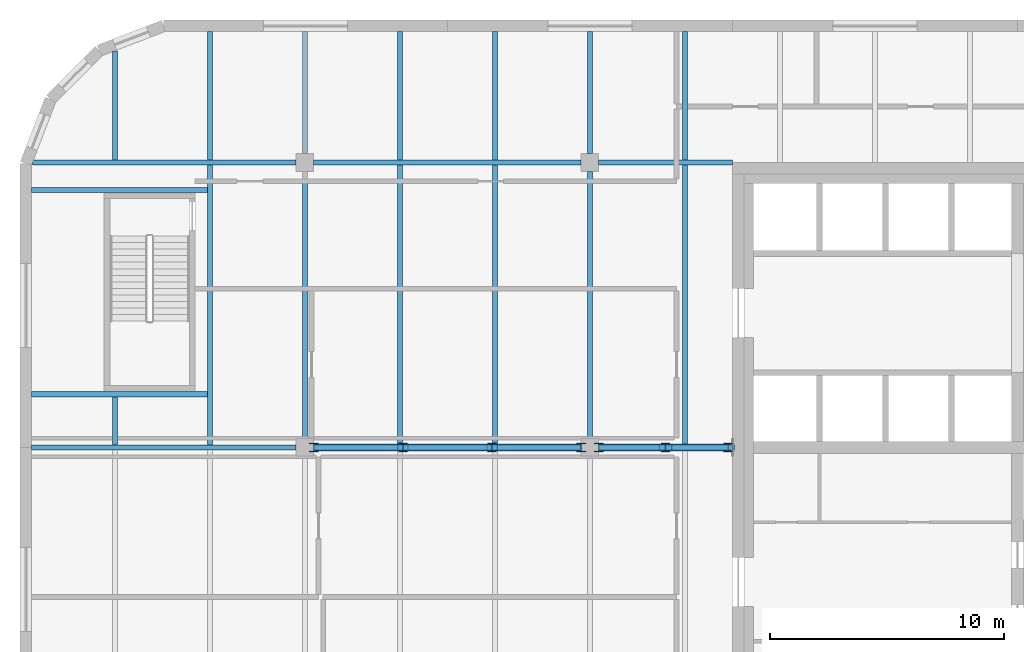
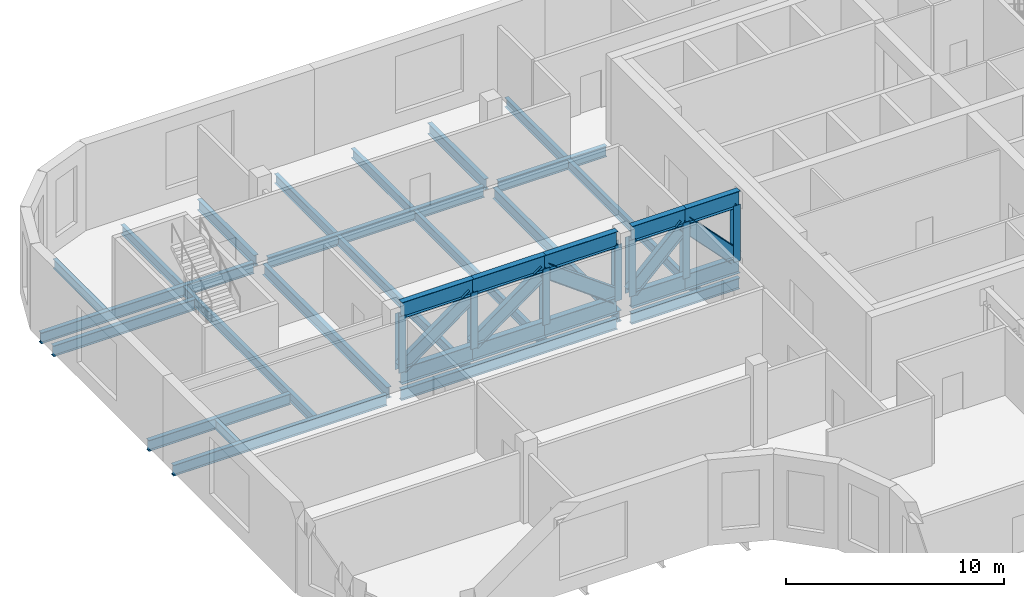
# One storey, part 3 of 12: 32 beams, 12 members.
"""IFC4 building model written with IfcOpenShell, lengths in metres."""

from ifc_helpers import new_model, si_unit, direction, frame, origin, origin_2d, place, context, subcontext, project, spatial, i_section, extrude, material, material_profile, profile_set, type_object, element, save


model = new_model("IFC4")

# Units and contexts
model_context = context("Model", 3, precision=1e-05, world=origin(), true_north=direction((0.0, 1.0)))
body_context = subcontext(model_context, "Body", "Model", "MODEL_VIEW")
ifc_project = project(units=[si_unit("LENGTHUNIT", "METRE"), si_unit("AREAUNIT", "SQUARE_METRE"), si_unit("VOLUMEUNIT", "CUBIC_METRE"), si_unit("PLANEANGLEUNIT", "RADIAN"), si_unit("MASSUNIT", "GRAM", prefix="KILO")], contexts=[model_context])

# Site, building, storey
site_placement = place(None, origin())
site = spatial("IfcSite", under=ifc_project, at=site_placement, CompositionType="ELEMENT")
building_placement = place(site_placement, origin())
building = spatial("IfcBuilding", under=site, at=building_placement, Name="Tessera Gate Towers", CompositionType="ELEMENT")
storey_placement = place(building_placement, frame((0.0, 0.0, 232.10009765625)))
storey = spatial("IfcBuildingStorey", under=building, at=storey_placement, Name="L58", CompositionType="ELEMENT", Elevation=232.10009765625)

# Beams
ifc_material_1 = material(Name="Steel 350W", Category="steel")
ifc_material_profile_1 = material_profile(ifc_material_1, i_section(OverallWidth=0.22900390625, OverallDepth=0.612060546875, WebThickness=0.011962890625, FlangeThickness=0.01953125, at=origin_2d()), Name="W610x125")
ifc_profile_set_1 = profile_set([ifc_material_profile_1], Name="Steel 350W")
beam_type_1 = type_object("IfcBeamType", Name="FLOOR GIRDER W610x125", PredefinedType="BEAM", material=ifc_profile_set_1)
beam_1_placement = place(storey_placement, frame((0.4990234375, 36.60009765625, -0.606201171875), z_axis=(1.0, 0.0, 0.0), x_axis=(0.0, 1.0, 0.0)))
element("IfcBeam", 1, at=beam_1_placement, inside=storey, type_object=beam_type_1, Name="T1-GD-L58-5855", PredefinedType="BEAM", context=body_context, shape_type="SweptSolid", body=[
    extrude(i_section(OverallWidth=0.22900390625, OverallDepth=0.612060546875, WebThickness=0.011962890625, FlangeThickness=0.01953125, at=origin_2d()), origin(), (0.0, 0.0, 1.0), 11.325927734375),
])
beam_2_placement = place(storey_placement, frame((12.574951171875, 36.60009765625, -0.606201171875), z_axis=(1.0, 0.0, 0.0), x_axis=(0.0, 1.0, 0.0)))
element("IfcBeam", 2, at=beam_2_placement, inside=storey, type_object=beam_type_1, Name="T1-GD-L58-5856", PredefinedType="BEAM", context=body_context, shape_type="SweptSolid", body=[
    extrude(i_section(OverallWidth=0.22900390625, OverallDepth=0.612060546875, WebThickness=0.011962890625, FlangeThickness=0.01953125, at=origin_2d()), origin(), (0.0, 0.0, 1.0), 11.449951171875),
])
beam_3_placement = place(storey_placement, frame((24.77490234375, 36.60009765625, -0.606201171875), z_axis=(1.0, 0.0, 0.0), x_axis=(0.0, 1.0, 0.0)))
element("IfcBeam", 3, at=beam_3_placement, inside=storey, type_object=beam_type_1, Name="T1-GD-L58-5857", PredefinedType="BEAM", context=body_context, shape_type="SweptSolid", body=[
    extrude(i_section(OverallWidth=0.22900390625, OverallDepth=0.612060546875, WebThickness=0.011962890625, FlangeThickness=0.01953125, at=origin_2d()), origin(), (0.0, 0.0, 1.0), 5.72607421875),
])
beam_4_placement = place(storey_placement, frame((0.534912109375, 48.800048828125, -0.606201171875), z_axis=(1.0, 0.0, 0.0), x_axis=(0.0, 1.0, 0.0)))
element("IfcBeam", 4, at=beam_4_placement, inside=storey, type_object=beam_type_1, Name="T1-GD-L58-5859", PredefinedType="BEAM", context=body_context, shape_type="SweptSolid", body=[
    extrude(i_section(OverallWidth=0.22900390625, OverallDepth=0.612060546875, WebThickness=0.011962890625, FlangeThickness=0.01953125, at=origin_2d()), origin(), (0.0, 0.0, 1.0), 11.2900390625),
])
beam_5_placement = place(storey_placement, frame((12.574951171875, 48.800048828125, -0.606201171875), z_axis=(1.0, 0.0, 0.0), x_axis=(0.0, 1.0, 0.0)))
element("IfcBeam", 5, at=beam_5_placement, inside=storey, type_object=beam_type_1, Name="T1-GD-L58-5860", PredefinedType="BEAM", context=body_context, shape_type="SweptSolid", body=[
    extrude(i_section(OverallWidth=0.22900390625, OverallDepth=0.612060546875, WebThickness=0.011962890625, FlangeThickness=0.01953125, at=origin_2d()), origin(), (0.0, 0.0, 1.0), 11.449951171875),
])
beam_6_placement = place(storey_placement, frame((24.77490234375, 48.800048828125, -0.606201171875), z_axis=(1.0, 0.0, 0.0), x_axis=(0.0, 1.0, 0.0)))
element("IfcBeam", 6, at=beam_6_placement, inside=storey, type_object=beam_type_1, Name="T1-GD-L58-5861", PredefinedType="BEAM", context=body_context, shape_type="SweptSolid", body=[
    extrude(i_section(OverallWidth=0.22900390625, OverallDepth=0.612060546875, WebThickness=0.011962890625, FlangeThickness=0.01953125, at=origin_2d()), origin(), (0.0, 0.0, 1.0), 5.72412109375),
])
beam_7_placement = place(storey_placement, frame((12.199951171875, 36.97509765625, -0.606201171875), z_axis=(0.0, 1.0, 0.0), x_axis=(-1.0, 0.0, 0.0)))
element("IfcBeam", 7, at=beam_7_placement, inside=storey, type_object=beam_type_1, Name="T1-GD-L58-5865", PredefinedType="BEAM", context=body_context, shape_type="SweptSolid", body=[
    extrude(i_section(OverallWidth=0.22900390625, OverallDepth=0.612060546875, WebThickness=0.011962890625, FlangeThickness=0.01953125, at=origin_2d()), origin(), (0.0, 0.0, 1.0), 11.449951171875),
])
beam_8_placement = place(storey_placement, frame((12.199951171875, 49.175048828125, -0.606201171875), z_axis=(0.0, 1.0, 0.0), x_axis=(-1.0, 0.0, 0.0)))
element("IfcBeam", 8, at=beam_8_placement, inside=storey, type_object=beam_type_1, Name="T1-GD-L58-5866", PredefinedType="BEAM", context=body_context, shape_type="SweptSolid", body=[
    extrude(i_section(OverallWidth=0.22900390625, OverallDepth=0.612060546875, WebThickness=0.011962890625, FlangeThickness=0.01953125, at=origin_2d()), origin(), (0.0, 0.0, 1.0), 5.225830078125),
])
beam_9_placement = place(storey_placement, frame((24.39990234375, 36.97509765625, -0.606201171875), z_axis=(0.0, 1.0, 0.0), x_axis=(-1.0, 0.0, 0.0)))
element("IfcBeam", 9, at=beam_9_placement, inside=storey, type_object=beam_type_1, Name="T1-GD-L58-5869", PredefinedType="BEAM", context=body_context, shape_type="SweptSolid", body=[
    extrude(i_section(OverallWidth=0.22900390625, OverallDepth=0.612060546875, WebThickness=0.011962890625, FlangeThickness=0.01953125, at=origin_2d()), origin(), (0.0, 0.0, 1.0), 11.449951171875),
])
beam_10_placement = place(storey_placement, frame((24.39990234375, 49.175048828125, -0.606201171875), z_axis=(0.0, 1.0, 0.0), x_axis=(-1.0, 0.0, 0.0)))
element("IfcBeam", 10, at=beam_10_placement, inside=storey, type_object=beam_type_1, Name="T1-GD-L58-5870", PredefinedType="BEAM", context=body_context, shape_type="SweptSolid", body=[
    extrude(i_section(OverallWidth=0.22900390625, OverallDepth=0.612060546875, WebThickness=0.011962890625, FlangeThickness=0.01953125, at=origin_2d()), origin(), (0.0, 0.0, 1.0), 5.225830078125),
])
for number, where, z_axis, x_axis, name in (
    (11, (0.4990234375, 38.8798828125, -0.606201171875), (1.0, 0.0, 0.0), (0.0, 1.0, 0.0), "T1-GD-L58-5875"),
    (12, (0.4990234375, 47.6201171875, -0.606201171875), (1.0, 0.0, 0.0), (0.0, 1.0, 0.0), "T1-GD-L58-5876"),
):
    element("IfcBeam", number, at=place(storey_placement, frame(where, z_axis=z_axis, x_axis=x_axis)), inside=storey, type_object=beam_type_1, Name=name, PredefinedType="BEAM", context=body_context, shape_type="SweptSolid", body=[
        extrude(i_section(OverallWidth=0.22900390625, OverallDepth=0.612060546875, WebThickness=0.011962890625, FlangeThickness=0.01953125, at=origin_2d()), origin(), (0.0, 0.0, 1.0), 7.52978515625),
    ])
ifc_material_2 = material(Name="Steel 350W", Category="steel")
ifc_material_profile_2 = material_profile(ifc_material_2, i_section(OverallWidth=0.208984375, OverallDepth=0.528076171875, WebThickness=0.009521484375, FlangeThickness=0.01318359375, at=origin_2d()), Name="W530x82")
ifc_profile_set_2 = profile_set([ifc_material_profile_2], Name="Steel 350W")
beam_type_2 = type_object("IfcBeamType", Name="FLOOR SECONDARY W530x82", PredefinedType="BEAM", material=ifc_profile_set_2)
beam_11_placement = place(storey_placement, frame((4.066650390625, 36.714599609375, -0.564208984375), z_axis=(0.0, 1.0, 0.0), x_axis=(-1.0, 0.0, 0.0)))
element("IfcBeam", 13, at=beam_11_placement, inside=storey, type_object=beam_type_2, Name="T1-BM-L58-5884", PredefinedType="BEAM", context=body_context, shape_type="SweptSolid", body=[
    extrude(i_section(OverallWidth=0.208984375, OverallDepth=0.528076171875, WebThickness=0.009521484375, FlangeThickness=0.01318359375, at=origin_2d()), origin(), (0.0, 0.0, 1.0), 2.05078125),
])
beam_12_placement = place(storey_placement, frame((4.066650390625, 48.91455078125, -0.564208984375), z_axis=(0.0, 1.0, 0.0), x_axis=(-1.0, 0.0, 0.0)))
element("IfcBeam", 14, at=beam_12_placement, inside=storey, type_object=beam_type_2, Name="T1-BM-L58-5885", PredefinedType="BEAM", context=body_context, shape_type="SweptSolid", body=[
    extrude(i_section(OverallWidth=0.208984375, OverallDepth=0.528076171875, WebThickness=0.009521484375, FlangeThickness=0.01318359375, at=origin_2d()), origin(), (0.0, 0.0, 1.0), 4.6650390625),
])
beam_13_placement = place(storey_placement, frame((8.13330078125, 36.714599609375, -0.564208984375), z_axis=(0.0, 1.0, 0.0), x_axis=(-1.0, 0.0, 0.0)))
element("IfcBeam", 15, at=beam_13_placement, inside=storey, type_object=beam_type_2, Name="T1-BM-L58-5888", PredefinedType="BEAM", context=body_context, shape_type="SweptSolid", body=[
    extrude(i_section(OverallWidth=0.208984375, OverallDepth=0.528076171875, WebThickness=0.009521484375, FlangeThickness=0.01318359375, at=origin_2d()), origin(), (0.0, 0.0, 1.0), 11.970947265625),
])
beam_14_placement = place(storey_placement, frame((8.13330078125, 48.91455078125, -0.564208984375), z_axis=(0.0, 1.0, 0.0), x_axis=(-1.0, 0.0, 0.0)))
element("IfcBeam", 16, at=beam_14_placement, inside=storey, type_object=beam_type_2, Name="T1-BM-L58-5889", PredefinedType="BEAM", context=body_context, shape_type="SweptSolid", body=[
    extrude(i_section(OverallWidth=0.208984375, OverallDepth=0.528076171875, WebThickness=0.009521484375, FlangeThickness=0.01318359375, at=origin_2d()), origin(), (0.0, 0.0, 1.0), 5.4853515625),
])
beam_15_placement = place(storey_placement, frame((16.2666015625, 36.714599609375, -0.564208984375), z_axis=(0.0, 1.0, 0.0), x_axis=(-1.0, 0.0, 0.0)))
element("IfcBeam", 17, at=beam_15_placement, inside=storey, type_object=beam_type_2, Name="T1-BM-L58-5892", PredefinedType="BEAM", context=body_context, shape_type="SweptSolid", body=[
    extrude(i_section(OverallWidth=0.208984375, OverallDepth=0.528076171875, WebThickness=0.009521484375, FlangeThickness=0.01318359375, at=origin_2d()), origin(), (0.0, 0.0, 1.0), 11.970947265625),
])
beam_16_placement = place(storey_placement, frame((16.2666015625, 48.91455078125, -0.564208984375), z_axis=(0.0, 1.0, 0.0), x_axis=(-1.0, 0.0, 0.0)))
element("IfcBeam", 18, at=beam_16_placement, inside=storey, type_object=beam_type_2, Name="T1-BM-L58-5893", PredefinedType="BEAM", context=body_context, shape_type="SweptSolid", body=[
    extrude(i_section(OverallWidth=0.208984375, OverallDepth=0.528076171875, WebThickness=0.009521484375, FlangeThickness=0.01318359375, at=origin_2d()), origin(), (0.0, 0.0, 1.0), 5.4853515625),
])
beam_17_placement = place(storey_placement, frame((20.333251953125, 36.714599609375, -0.564208984375), z_axis=(0.0, 1.0, 0.0), x_axis=(-1.0, 0.0, 0.0)))
element("IfcBeam", 19, at=beam_17_placement, inside=storey, type_object=beam_type_2, Name="T1-BM-L58-5896", PredefinedType="BEAM", context=body_context, shape_type="SweptSolid", body=[
    extrude(i_section(OverallWidth=0.208984375, OverallDepth=0.528076171875, WebThickness=0.009521484375, FlangeThickness=0.01318359375, at=origin_2d()), origin(), (0.0, 0.0, 1.0), 11.970947265625),
])
beam_18_placement = place(storey_placement, frame((20.333251953125, 48.91455078125, -0.564208984375), z_axis=(0.0, 1.0, 0.0), x_axis=(-1.0, 0.0, 0.0)))
element("IfcBeam", 20, at=beam_18_placement, inside=storey, type_object=beam_type_2, Name="T1-BM-L58-5897", PredefinedType="BEAM", context=body_context, shape_type="SweptSolid", body=[
    extrude(i_section(OverallWidth=0.208984375, OverallDepth=0.528076171875, WebThickness=0.009521484375, FlangeThickness=0.01318359375, at=origin_2d()), origin(), (0.0, 0.0, 1.0), 5.4853515625),
])
beam_19_placement = place(storey_placement, frame((28.466796875, 36.714599609375, -0.564208984375), z_axis=(0.0, 1.0, 0.0), x_axis=(-1.0, 0.0, 0.0)))
element("IfcBeam", 21, at=beam_19_placement, inside=storey, type_object=beam_type_2, Name="T1-BM-L58-5901", PredefinedType="BEAM", context=body_context, shape_type="SweptSolid", body=[
    extrude(i_section(OverallWidth=0.208984375, OverallDepth=0.528076171875, WebThickness=0.009521484375, FlangeThickness=0.01318359375, at=origin_2d()), origin(), (0.0, 0.0, 1.0), 11.970947265625),
])
beam_20_placement = place(storey_placement, frame((28.466796875, 48.91455078125, -0.564208984375), z_axis=(0.0, 1.0, 0.0), x_axis=(-1.0, 0.0, 0.0)))
element("IfcBeam", 22, at=beam_20_placement, inside=storey, type_object=beam_type_2, Name="T1-BM-L58-5902", PredefinedType="BEAM", context=body_context, shape_type="SweptSolid", body=[
    extrude(i_section(OverallWidth=0.208984375, OverallDepth=0.528076171875, WebThickness=0.009521484375, FlangeThickness=0.01318359375, at=origin_2d()), origin(), (0.0, 0.0, 1.0), 5.4853515625),
])

# Members
ifc_material_3 = material(Name="Steel 350W", Category="steel")
ifc_material_profile_3 = material_profile(ifc_material_3, i_section(OverallWidth=0.264892578125, OverallDepth=0.7529296875, WebThickness=0.01318359375, FlangeThickness=0.01708984375, at=origin_2d()), Name="W760x147")
ifc_profile_set_3 = profile_set([ifc_material_profile_3], Name="Steel 350W")
member_type_1 = type_object("IfcMemberType", Name="OUTRIGGER BRACE W760x147", PredefinedType="BRACE", material=ifc_profile_set_3)
member_1_placement = place(storey_placement, frame((30.3154296875, 36.60009765625, 0.90283203125), z_axis=(-0.691934134416, 0.0, 0.721960631634), x_axis=(0.0, -1.0, 0.0)))
element("IfcMember", 23, at=member_1_placement, inside=storey, type_object=member_type_1, Name="Outrigger truss T1 L58 W1a brace D1", PredefinedType="BRACE", context=body_context, shape_type="SweptSolid", body=[
    extrude(i_section(OverallWidth=0.264892578125, OverallDepth=0.7529296875, WebThickness=0.01318359375, FlangeThickness=0.01708984375, at=origin_2d()), origin(), (0.0, 0.0, 1.0), 3.870361328125),
])
member_2_placement = place(storey_placement, frame((24.77490234375, 36.60009765625, 0.90283203125), z_axis=(0.715599628005, 0.0, 0.698510681664), x_axis=(0.0, 1.0, 0.0)))
element("IfcMember", 24, at=member_2_placement, inside=storey, type_object=member_type_1, Name="Outrigger truss T1 L58 W1a brace D2", PredefinedType="BRACE", context=body_context, shape_type="SweptSolid", body=[
    extrude(i_section(OverallWidth=0.264892578125, OverallDepth=0.7529296875, WebThickness=0.01318359375, FlangeThickness=0.01708984375, at=origin_2d()), origin(), (0.0, 0.0, 1.0), 4.000244140625),
])
for number, where, z_axis, x_axis, name in (
    (25, (24.02490234375, 36.60009765625, 0.90283203125), (-0.806877317184, 0.0, 0.590719049138), (0.0, -1.0, 0.0), "Outrigger truss T1 L58 W1b brace D1"),
    (26, (16.3916015625, 36.60009765625, 0.90283203125), (0.806877317184, 0.0, 0.590719049138), (0.0, 1.0, 0.0), "Outrigger truss T1 L58 W1b brace D2"),
    (27, (12.574951171875, 36.60009765625, 0.90283203125), (0.806877317184, 0.0, 0.590719049138), (0.0, 1.0, 0.0), "Outrigger truss T1 L58 W1b brace D3"),
):
    element("IfcMember", number, at=place(storey_placement, frame(where, z_axis=z_axis, x_axis=x_axis)), inside=storey, type_object=member_type_1, Name=name, PredefinedType="BRACE", context=body_context, shape_type="SweptSolid", body=[
        extrude(i_section(OverallWidth=0.264892578125, OverallDepth=0.7529296875, WebThickness=0.01318359375, FlangeThickness=0.01708984375, at=origin_2d()), origin(), (0.0, 0.0, 1.0), 4.730224609375),
    ])

# Beams
ifc_material_4 = material(Name="Steel 350W", Category="steel")
ifc_material_profile_4 = material_profile(ifc_material_4, i_section(OverallWidth=0.303955078125, OverallDepth=0.903076171875, WebThickness=0.01513671875, FlangeThickness=0.02001953125, at=origin_2d()), Name="W920x201")
ifc_profile_set_4 = profile_set([ifc_material_profile_4], Name="Steel 350W")
beam_type_3 = type_object("IfcBeamType", Name="OUTRIGGER CHORD W920x201", PredefinedType="BEAM", material=ifc_profile_set_4)
for number, where, z_axis, x_axis, name in (
    (28, (30.5, 36.60009765625, 4.1484375), (-1.0, 0.0, 0.0), (0.0, -1.0, 0.0), "Outrigger truss T1 L58 W1a top chord TC1"),
    (29, (30.5, 36.60009765625, 0.451416015625), (-1.0, 0.0, 0.0), (0.0, -1.0, 0.0), "Outrigger truss T1 L58 W1a bottom chord BC1"),
    (30, (27.637451171875, 36.60009765625, 4.1484375), (-1.0, 0.0, 0.0), (0.0, -1.0, 0.0), "Outrigger truss T1 L58 W1a top chord TC2"),
    (31, (27.637451171875, 36.60009765625, 0.451416015625), (-1.0, 0.0, 0.0), (0.0, -1.0, 0.0), "Outrigger truss T1 L58 W1a bottom chord BC2"),
):
    element("IfcBeam", number, at=place(storey_placement, frame(where, z_axis=z_axis, x_axis=x_axis)), inside=storey, type_object=beam_type_3, Name=name, PredefinedType="BEAM", context=body_context, shape_type="SweptSolid", body=[
        extrude(i_section(OverallWidth=0.303955078125, OverallDepth=0.903076171875, WebThickness=0.01513671875, FlangeThickness=0.02001953125, at=origin_2d()), origin(), (0.0, 0.0, 1.0), 2.862548828125),
    ])
for number, where, z_axis, x_axis, name in (
    (32, (24.02490234375, 36.60009765625, 4.1484375), (-1.0, 0.0, 0.0), (0.0, -1.0, 0.0), "Outrigger truss T1 L58 W1b top chord TC1"),
    (33, (24.02490234375, 36.60009765625, 0.451416015625), (-1.0, 0.0, 0.0), (0.0, -1.0, 0.0), "Outrigger truss T1 L58 W1b bottom chord BC1"),
    (34, (20.208251953125, 36.60009765625, 4.1484375), (-1.0, 0.0, 0.0), (0.0, -1.0, 0.0), "Outrigger truss T1 L58 W1b top chord TC2"),
    (35, (20.208251953125, 36.60009765625, 0.451416015625), (-1.0, 0.0, 0.0), (0.0, -1.0, 0.0), "Outrigger truss T1 L58 W1b bottom chord BC2"),
    (36, (16.3916015625, 36.60009765625, 4.1484375), (-1.0, 0.0, 0.0), (0.0, -1.0, 0.0), "Outrigger truss T1 L58 W1b top chord TC3"),
    (37, (16.3916015625, 36.60009765625, 0.451416015625), (-1.0, 0.0, 0.0), (0.0, -1.0, 0.0), "Outrigger truss T1 L58 W1b bottom chord BC3"),
):
    element("IfcBeam", number, at=place(storey_placement, frame(where, z_axis=z_axis, x_axis=x_axis)), inside=storey, type_object=beam_type_3, Name=name, PredefinedType="BEAM", context=body_context, shape_type="SweptSolid", body=[
        extrude(i_section(OverallWidth=0.303955078125, OverallDepth=0.903076171875, WebThickness=0.01513671875, FlangeThickness=0.02001953125, at=origin_2d()), origin(), (0.0, 0.0, 1.0), 3.816650390625),
    ])

# Members
ifc_material_5 = material(Name="Steel 350W", Category="steel")
ifc_material_profile_5 = material_profile(ifc_material_5, i_section(OverallWidth=0.368896484375, OverallDepth=0.35595703125, WebThickness=0.01123046875, FlangeThickness=0.01806640625, at=origin_2d()), Name="W360x134")
ifc_profile_set_5 = profile_set([ifc_material_profile_5], Name="Steel 350W")
member_type_2 = type_object("IfcMemberType", Name="OUTRIGGER POST W360x134", PredefinedType="POST", material=ifc_profile_set_5)
for number, where, z_axis, x_axis, name in (
    (38, (30.3154296875, 36.60009765625, 0.72314453125), (0.0, 0.0, 1.0), (1.0, 0.0, 0.0), "Outrigger truss T1 L58 W1a post V0"),
    (39, (27.637451171875, 36.60009765625, 0.72314453125), (0.0, 0.0, 1.0), (1.0, 0.0, 0.0), "Outrigger truss T1 L58 W1a post V1"),
    (40, (24.77490234375, 36.60009765625, 0.72314453125), (0.0, 0.0, 1.0), (1.0, 0.0, 0.0), "Outrigger truss T1 L58 W1a post V2"),
    (41, (24.02490234375, 36.60009765625, 0.72314453125), (0.0, 0.0, 1.0), (1.0, 0.0, 0.0), "Outrigger truss T1 L58 W1b post V0"),
    (42, (20.208251953125, 36.60009765625, 0.72314453125), (0.0, 0.0, 1.0), (1.0, 0.0, 0.0), "Outrigger truss T1 L58 W1b post V1"),
    (43, (16.3916015625, 36.60009765625, 0.72314453125), (0.0, 0.0, 1.0), (1.0, 0.0, 0.0), "Outrigger truss T1 L58 W1b post V2"),
    (44, (12.574951171875, 36.60009765625, 0.72314453125), (0.0, 0.0, 1.0), (1.0, 0.0, 0.0), "Outrigger truss T1 L58 W1b post V3"),
):
    element("IfcMember", number, at=place(storey_placement, frame(where, z_axis=z_axis, x_axis=x_axis)), inside=storey, type_object=member_type_2, Name=name, PredefinedType="POST", context=body_context, shape_type="SweptSolid", body=[
        extrude(i_section(OverallWidth=0.368896484375, OverallDepth=0.35595703125, WebThickness=0.01123046875, FlangeThickness=0.01806640625, at=origin_2d()), origin(), (0.0, 0.0, 1.0), 3.153564453125),
    ])

save(model, "model.ifc")
